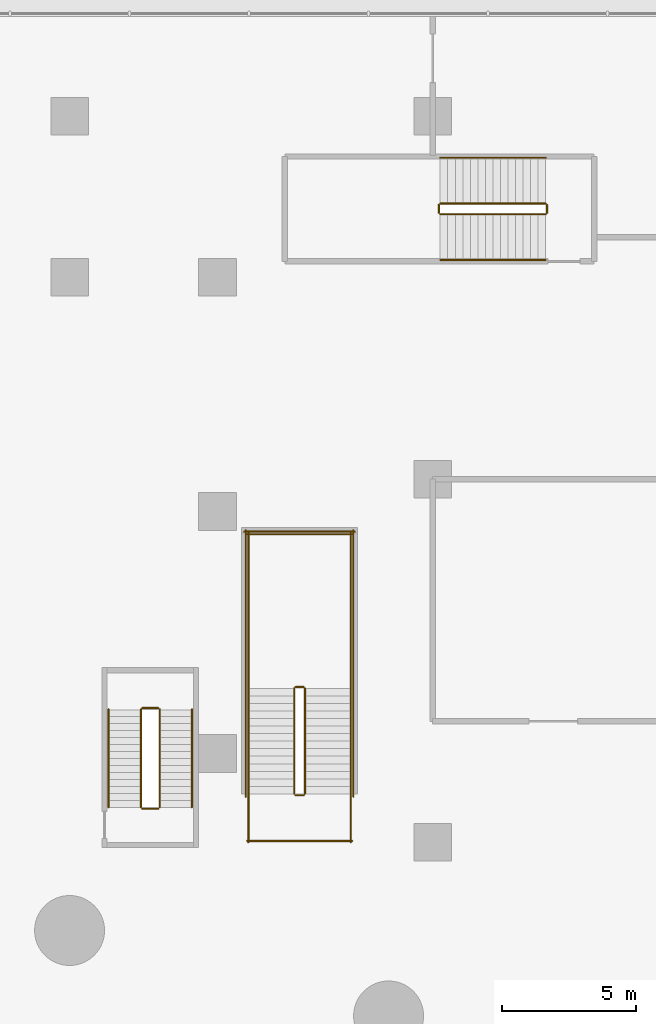
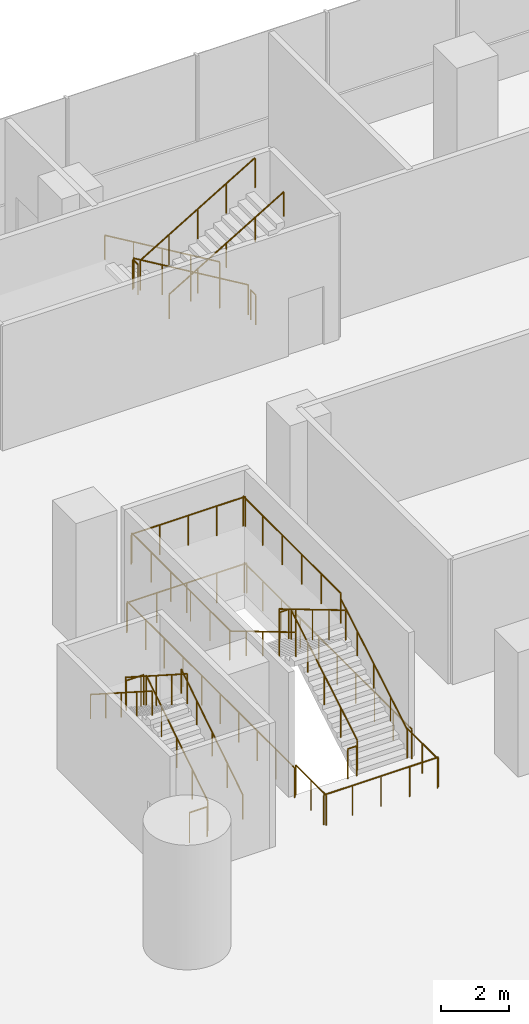
# One storey, part 43 of 44: 27 railings.
"""IFC4 building model written with IfcOpenShell, lengths in metres."""

from ifc_helpers import new_model, si_unit, direction, frame, origin, origin_2d, place, context, subcontext, project, spatial, circle, extrude, material, type_object, element, save


model = new_model("IFC4")

# Units and contexts
model_context = context("Model", 3, precision=1e-05, world=origin(), true_north=direction((0.0, 1.0)))
body_context = subcontext(model_context, "Body", "Model", "MODEL_VIEW")
ifc_project = project(units=[si_unit("LENGTHUNIT", "METRE"), si_unit("AREAUNIT", "SQUARE_METRE"), si_unit("VOLUMEUNIT", "CUBIC_METRE"), si_unit("PLANEANGLEUNIT", "RADIAN"), si_unit("MASSUNIT", "GRAM", prefix="KILO")], contexts=[model_context])

# Site, building, storey
site_placement = place(None, origin())
site = spatial("IfcSite", under=ifc_project, at=site_placement, CompositionType="ELEMENT")
building_placement = place(site_placement, origin())
building = spatial("IfcBuilding", under=site, at=building_placement, Name="Tamarind Cross Interchange Tower", CompositionType="ELEMENT")
storey_placement = place(building_placement, frame((0.0, 0.0, 15.0)))
storey = spatial("IfcBuildingStorey", under=building, at=storey_placement, Name="L02", CompositionType="ELEMENT", Elevation=15.0)

# Railings
ifc_material_1 = material(Name="Public stair guard")
railing_type_1 = type_object("IfcRailingType", Name="Public stair guard", PredefinedType="GUARDRAIL", material=ifc_material_1)
railing_1_placement = place(storey_placement, frame((8.75, 28.800048828125, 0.166748046875)))
element("IfcRailing", 1, at=railing_1_placement, inside=storey, type_object=railing_type_1, Name="L02 PS-N stair guard 1", PredefinedType="GUARDRAIL", context=body_context, shape_type="SweptSolid", body=[
    extrude(circle(Radius=0.02392578125, at=origin_2d()), frame((0.0, 0.0, 1.076171875), z_axis=(0.0, 0.859296244711, 0.511478214419), x_axis=(-1.0, 0.0, 0.0)), (0.0, 0.0, 1.0), 4.561767578125),
    extrude(circle(Radius=0.02099609375, at=origin_2d()), origin(), (0.0, 0.0, 1.0), 1.052001953125),
    extrude(circle(Radius=0.02099609375, at=origin_2d()), frame((0.0, 0.97998046875, 0.583251953125)), (0.0, 0.0, 1.0), 1.052001953125),
    extrude(circle(Radius=0.02099609375, at=origin_2d()), frame((0.0, 1.9599609375, 1.16650390625)), (0.0, 0.0, 1.0), 1.052001953125),
    extrude(circle(Radius=0.02099609375, at=origin_2d()), frame((0.0, 2.93994140625, 1.75)), (0.0, 0.0, 1.0), 1.052001953125),
    extrude(circle(Radius=0.02099609375, at=origin_2d()), frame((0.0, 3.919921875, 2.333251953125)), (0.0, 0.0, 1.0), 1.052001953125),
])
railing_2_placement = place(storey_placement, frame((8.699951171875, 32.77001953125, 2.5)))
element("IfcRailing", 2, at=railing_2_placement, inside=storey, type_object=railing_type_1, Name="L02 PS-N stair guard 2", PredefinedType="GUARDRAIL", context=body_context, shape_type="SweptSolid", body=[
    extrude(circle(Radius=0.02392578125, at=origin_2d()), frame((0.0, 0.0, 1.076171875), z_axis=(-1.0, 0.0, 0.0), x_axis=(0.0, -1.0, 0.0)), (0.0, 0.0, 1.0), 0.300048828125),
    extrude(circle(Radius=0.02099609375, at=origin_2d()), origin(), (0.0, 0.0, 1.0), 1.052001953125),
    extrude(circle(Radius=0.02099609375, at=origin_2d()), frame((-0.300048828125, 0.0, 0.0)), (0.0, 0.0, 1.0), 1.052001953125),
])
for number, where, name in (
    (3, (10.449951171875, 32.719970703125, 2.5), "L02 PS-N stair guard 3"),
    (4, (6.64990234375, 32.719970703125, 2.5), "L02 PS-N stair guard 4"),
):
    element("IfcRailing", number, at=place(storey_placement, frame(where)), inside=storey, type_object=railing_type_1, Name=name, PredefinedType="GUARDRAIL", context=body_context, shape_type="SweptSolid", body=[
        extrude(circle(Radius=0.02392578125, at=origin_2d()), frame((0.0, 0.0, 1.076171875), z_axis=(0.0, 1.0, 0.0), x_axis=(-1.0, 0.0, 0.0)), (0.0, 0.0, 1.0), 5.780029296875),
        extrude(circle(Radius=0.02099609375, at=origin_2d()), origin(), (0.0, 0.0, 1.0), 1.052001953125),
        extrude(circle(Radius=0.02099609375, at=origin_2d()), frame((0.0, 1.156005859375, 0.0)), (0.0, 0.0, 1.0), 1.052001953125),
        extrude(circle(Radius=0.02099609375, at=origin_2d()), frame((0.0, 2.31201171875, 0.0)), (0.0, 0.0, 1.0), 1.052001953125),
        extrude(circle(Radius=0.02099609375, at=origin_2d()), frame((0.0, 3.468017578125, 0.0)), (0.0, 0.0, 1.0), 1.052001953125),
        extrude(circle(Radius=0.02099609375, at=origin_2d()), frame((0.0, 4.6240234375, 0.0)), (0.0, 0.0, 1.0), 1.052001953125),
        extrude(circle(Radius=0.02099609375, at=origin_2d()), frame((0.0, 5.780029296875, 0.0)), (0.0, 0.0, 1.0), 1.052001953125),
    ])
railing_3_placement = place(storey_placement, frame((10.5, 38.449951171875, 2.5)))
element("IfcRailing", 5, at=railing_3_placement, inside=storey, type_object=railing_type_1, Name="L02 PS-N stair guard 5", PredefinedType="GUARDRAIL", context=body_context, shape_type="SweptSolid", body=[
    extrude(circle(Radius=0.02392578125, at=origin_2d()), frame((0.0, 0.0, 1.076171875), z_axis=(-1.0, 0.0, 0.0), x_axis=(0.0, -1.0, 0.0)), (0.0, 0.0, 1.0), 3.89990234375),
    extrude(circle(Radius=0.02099609375, at=origin_2d()), origin(), (0.0, 0.0, 1.0), 1.052001953125),
    extrude(circle(Radius=0.02099609375, at=origin_2d()), frame((-0.97509765625, 0.0, 0.0)), (0.0, 0.0, 1.0), 1.052001953125),
    extrude(circle(Radius=0.02099609375, at=origin_2d()), frame((-1.949951171875, 0.0, 0.0)), (0.0, 0.0, 1.0), 1.052001953125),
    extrude(circle(Radius=0.02099609375, at=origin_2d()), frame((-2.9248046875, 0.0, 0.0)), (0.0, 0.0, 1.0), 1.052001953125),
    extrude(circle(Radius=0.02099609375, at=origin_2d()), frame((-3.89990234375, 0.0, 0.0)), (0.0, 0.0, 1.0), 1.052001953125),
])
railing_4_placement = place(storey_placement, frame((8.35009765625, 32.719970703125, 2.666748046875)))
element("IfcRailing", 6, at=railing_4_placement, inside=storey, type_object=railing_type_1, Name="L02 PS-N stair guard 6", PredefinedType="GUARDRAIL", context=body_context, shape_type="SweptSolid", body=[
    extrude(circle(Radius=0.02392578125, at=origin_2d()), frame((0.0, 0.0, 1.076171875), z_axis=(0.0, -0.859296244711, 0.511478214419), x_axis=(1.0, 0.0, 0.0)), (0.0, 0.0, 1.0), 4.561767578125),
    extrude(circle(Radius=0.02099609375, at=origin_2d()), origin(), (0.0, 0.0, 1.0), 1.052001953125),
    extrude(circle(Radius=0.02099609375, at=origin_2d()), frame((0.0, -0.97998046875, 0.583251953125)), (0.0, 0.0, 1.0), 1.052001953125),
    extrude(circle(Radius=0.02099609375, at=origin_2d()), frame((0.0, -1.9599609375, 1.16650390625)), (0.0, 0.0, 1.0), 1.052001953125),
    extrude(circle(Radius=0.02099609375, at=origin_2d()), frame((0.0, -2.93994140625, 1.75)), (0.0, 0.0, 1.0), 1.052001953125),
    extrude(circle(Radius=0.02099609375, at=origin_2d()), frame((0.0, -3.919921875, 2.333251953125)), (0.0, 0.0, 1.0), 1.052001953125),
])
railing_5_placement = place(storey_placement, frame((8.699951171875, 28.75, 0.0)))
element("IfcRailing", 7, at=railing_5_placement, inside=storey, type_object=railing_type_1, Name="L02 PS-N stair guard 7", PredefinedType="GUARDRAIL", context=body_context, shape_type="SweptSolid", body=[
    extrude(circle(Radius=0.02392578125, at=origin_2d()), frame((0.0, 0.0, 1.076171875), z_axis=(-1.0, 0.0, 0.0), x_axis=(0.0, -1.0, 0.0)), (0.0, 0.0, 1.0), 0.300048828125),
    extrude(circle(Radius=0.02099609375, at=origin_2d()), origin(), (0.0, 0.0, 1.0), 1.052001953125),
    extrude(circle(Radius=0.02099609375, at=origin_2d()), frame((-0.300048828125, 0.0, 0.0)), (0.0, 0.0, 1.0), 1.052001953125),
])
for number, where, name in (
    (8, (10.449951171875, 27.0, 0.0), "L02 PS-N stair guard 8"),
    (9, (6.64990234375, 27.0, 0.0), "L02 PS-N stair guard 9"),
):
    element("IfcRailing", number, at=place(storey_placement, frame(where)), inside=storey, type_object=railing_type_1, Name=name, PredefinedType="GUARDRAIL", context=body_context, shape_type="SweptSolid", body=[
        extrude(circle(Radius=0.02392578125, at=origin_2d()), frame((0.0, 0.0, 1.076171875), z_axis=(0.0, 1.0, 0.0), x_axis=(-1.0, 0.0, 0.0)), (0.0, 0.0, 1.0), 1.800048828125),
        extrude(circle(Radius=0.02099609375, at=origin_2d()), origin(), (0.0, 0.0, 1.0), 1.052001953125),
        extrude(circle(Radius=0.02099609375, at=origin_2d()), frame((0.0, 0.89990234375, 0.0)), (0.0, 0.0, 1.0), 1.052001953125),
        extrude(circle(Radius=0.02099609375, at=origin_2d()), frame((0.0, 1.800048828125, 0.0)), (0.0, 0.0, 1.0), 1.052001953125),
    ])
railing_6_placement = place(storey_placement, frame((10.5, 27.050048828125, 0.0)))
element("IfcRailing", 10, at=railing_6_placement, inside=storey, type_object=railing_type_1, Name="L02 PS-N stair guard 10", PredefinedType="GUARDRAIL", context=body_context, shape_type="SweptSolid", body=[
    extrude(circle(Radius=0.02392578125, at=origin_2d()), frame((0.0, 0.0, 1.076171875), z_axis=(-1.0, 0.0, 0.0), x_axis=(0.0, -1.0, 0.0)), (0.0, 0.0, 1.0), 3.89990234375),
    extrude(circle(Radius=0.02099609375, at=origin_2d()), origin(), (0.0, 0.0, 1.0), 1.052001953125),
    extrude(circle(Radius=0.02099609375, at=origin_2d()), frame((-0.97509765625, 0.0, 0.0)), (0.0, 0.0, 1.0), 1.052001953125),
    extrude(circle(Radius=0.02099609375, at=origin_2d()), frame((-1.949951171875, 0.0, 0.0)), (0.0, 0.0, 1.0), 1.052001953125),
    extrude(circle(Radius=0.02099609375, at=origin_2d()), frame((-2.9248046875, 0.0, 0.0)), (0.0, 0.0, 1.0), 1.052001953125),
    extrude(circle(Radius=0.02099609375, at=origin_2d()), frame((-3.89990234375, 0.0, 0.0)), (0.0, 0.0, 1.0), 1.052001953125),
])
for number, where, name in (
    (11, (10.550048828125, 28.699951171875, 0.0), "L02 PS-N stair guard 11"),
    (12, (6.550048828125, 28.699951171875, 0.0), "L02 PS-N stair guard 12"),
):
    element("IfcRailing", number, at=place(storey_placement, frame(where)), inside=storey, type_object=railing_type_1, Name=name, PredefinedType="GUARDRAIL", context=body_context, shape_type="SweptSolid", body=[
        extrude(circle(Radius=0.02392578125, at=origin_2d()), frame((0.0, 0.0, 1.076171875), z_axis=(0.0, 1.0, 0.0), x_axis=(-1.0, 0.0, 0.0)), (0.0, 0.0, 1.0), 9.900146484375),
        extrude(circle(Radius=0.02099609375, at=origin_2d()), origin(), (0.0, 0.0, 1.0), 1.052001953125),
        extrude(circle(Radius=0.02099609375, at=origin_2d()), frame((0.0, 1.10009765625, 0.0)), (0.0, 0.0, 1.0), 1.052001953125),
        extrude(circle(Radius=0.02099609375, at=origin_2d()), frame((0.0, 2.199951171875, 0.0)), (0.0, 0.0, 1.0), 1.052001953125),
        extrude(circle(Radius=0.02099609375, at=origin_2d()), frame((0.0, 3.300048828125, 0.0)), (0.0, 0.0, 1.0), 1.052001953125),
        extrude(circle(Radius=0.02099609375, at=origin_2d()), frame((0.0, 4.400146484375, 0.0)), (0.0, 0.0, 1.0), 1.052001953125),
        extrude(circle(Radius=0.02099609375, at=origin_2d()), frame((0.0, 5.5, 0.0)), (0.0, 0.0, 1.0), 1.052001953125),
        extrude(circle(Radius=0.02099609375, at=origin_2d()), frame((0.0, 6.60009765625, 0.0)), (0.0, 0.0, 1.0), 1.052001953125),
        extrude(circle(Radius=0.02099609375, at=origin_2d()), frame((0.0, 7.7001953125, 0.0)), (0.0, 0.0, 1.0), 1.052001953125),
        extrude(circle(Radius=0.02099609375, at=origin_2d()), frame((0.0, 8.800048828125, 0.0)), (0.0, 0.0, 1.0), 1.052001953125),
        extrude(circle(Radius=0.02099609375, at=origin_2d()), frame((0.0, 9.900146484375, 0.0)), (0.0, 0.0, 1.0), 1.052001953125),
    ])
railing_7_placement = place(storey_placement, frame((10.60009765625, 38.550048828125, 0.0)))
element("IfcRailing", 13, at=railing_7_placement, inside=storey, type_object=railing_type_1, Name="L02 PS-N stair guard 13", PredefinedType="GUARDRAIL", context=body_context, shape_type="SweptSolid", body=[
    extrude(circle(Radius=0.02392578125, at=origin_2d()), frame((0.0, 0.0, 1.076171875), z_axis=(-1.0, 0.0, 0.0), x_axis=(0.0, -1.0, 0.0)), (0.0, 0.0, 1.0), 4.10009765625),
    extrude(circle(Radius=0.02099609375, at=origin_2d()), origin(), (0.0, 0.0, 1.0), 1.052001953125),
    extrude(circle(Radius=0.02099609375, at=origin_2d()), frame((-1.02490234375, 0.0, 0.0)), (0.0, 0.0, 1.0), 1.052001953125),
    extrude(circle(Radius=0.02099609375, at=origin_2d()), frame((-2.050048828125, 0.0, 0.0)), (0.0, 0.0, 1.0), 1.052001953125),
    extrude(circle(Radius=0.02099609375, at=origin_2d()), frame((-3.0751953125, 0.0, 0.0)), (0.0, 0.0, 1.0), 1.052001953125),
    extrude(circle(Radius=0.02099609375, at=origin_2d()), frame((-4.10009765625, 0.0, 0.0)), (0.0, 0.0, 1.0), 1.052001953125),
])
railing_8_placement = place(storey_placement, frame((17.699951171875, 50.75, 0.166748046875)))
element("IfcRailing", 14, at=railing_8_placement, inside=storey, type_object=railing_type_1, Name="L02 XS-P03 stair guard 1", PredefinedType="GUARDRAIL", context=body_context, shape_type="SweptSolid", body=[
    extrude(circle(Radius=0.02392578125, at=origin_2d()), frame((0.0, 0.0, 1.076171875), z_axis=(-0.859296244711, 0.0, 0.511478214419), x_axis=(0.0, -1.0, 0.0)), (0.0, 0.0, 1.0), 4.561767578125),
    extrude(circle(Radius=0.02099609375, at=origin_2d()), origin(), (0.0, 0.0, 1.0), 1.052001953125),
    extrude(circle(Radius=0.02099609375, at=origin_2d()), frame((-0.97998046875, 0.0, 0.583251953125)), (0.0, 0.0, 1.0), 1.052001953125),
    extrude(circle(Radius=0.02099609375, at=origin_2d()), frame((-1.9599609375, 0.0, 1.16650390625)), (0.0, 0.0, 1.0), 1.052001953125),
    extrude(circle(Radius=0.02099609375, at=origin_2d()), frame((-2.93994140625, 0.0, 1.75)), (0.0, 0.0, 1.0), 1.052001953125),
    extrude(circle(Radius=0.02099609375, at=origin_2d()), frame((-3.919921875, 0.0, 2.333251953125)), (0.0, 0.0, 1.0), 1.052001953125),
])
railing_9_placement = place(storey_placement, frame((13.72998046875, 50.699951171875, 2.5)))
element("IfcRailing", 15, at=railing_9_placement, inside=storey, type_object=railing_type_1, Name="L02 XS-P03 stair guard 2", PredefinedType="GUARDRAIL", context=body_context, shape_type="SweptSolid", body=[
    extrude(circle(Radius=0.02392578125, at=origin_2d()), frame((0.0, 0.0, 1.076171875), z_axis=(0.0, -1.0, 0.0), x_axis=(1.0, 0.0, 0.0)), (0.0, 0.0, 1.0), 0.300048828125),
    extrude(circle(Radius=0.02099609375, at=origin_2d()), origin(), (0.0, 0.0, 1.0), 1.052001953125),
    extrude(circle(Radius=0.02099609375, at=origin_2d()), frame((0.0, -0.300048828125, 0.0)), (0.0, 0.0, 1.0), 1.052001953125),
])
railing_10_placement = place(storey_placement, frame((13.780029296875, 50.35009765625, 2.666748046875)))
element("IfcRailing", 16, at=railing_10_placement, inside=storey, type_object=railing_type_1, Name="L02 XS-P03 stair guard 3", PredefinedType="GUARDRAIL", context=body_context, shape_type="SweptSolid", body=[
    extrude(circle(Radius=0.02392578125, at=origin_2d()), frame((0.0, 0.0, 1.076171875), z_axis=(0.859296244711, 0.0, 0.511478214419), x_axis=(0.0, 1.0, 0.0)), (0.0, 0.0, 1.0), 4.561767578125),
    extrude(circle(Radius=0.02099609375, at=origin_2d()), origin(), (0.0, 0.0, 1.0), 1.052001953125),
    extrude(circle(Radius=0.02099609375, at=origin_2d()), frame((0.97998046875, 0.0, 0.583251953125)), (0.0, 0.0, 1.0), 1.052001953125),
    extrude(circle(Radius=0.02099609375, at=origin_2d()), frame((1.9599609375, 0.0, 1.16650390625)), (0.0, 0.0, 1.0), 1.052001953125),
    extrude(circle(Radius=0.02099609375, at=origin_2d()), frame((2.93994140625, 0.0, 1.75)), (0.0, 0.0, 1.0), 1.052001953125),
    extrude(circle(Radius=0.02099609375, at=origin_2d()), frame((3.919921875, 0.0, 2.333251953125)), (0.0, 0.0, 1.0), 1.052001953125),
])
railing_11_placement = place(storey_placement, frame((17.75, 50.699951171875, 0.0)))
element("IfcRailing", 17, at=railing_11_placement, inside=storey, type_object=railing_type_1, Name="L02 XS-P03 stair guard 4", PredefinedType="GUARDRAIL", context=body_context, shape_type="SweptSolid", body=[
    extrude(circle(Radius=0.02392578125, at=origin_2d()), frame((0.0, 0.0, 1.076171875), z_axis=(0.0, -1.0, 0.0), x_axis=(1.0, 0.0, 0.0)), (0.0, 0.0, 1.0), 0.300048828125),
    extrude(circle(Radius=0.02099609375, at=origin_2d()), origin(), (0.0, 0.0, 1.0), 1.052001953125),
    extrude(circle(Radius=0.02099609375, at=origin_2d()), frame((0.0, -0.300048828125, 0.0)), (0.0, 0.0, 1.0), 1.052001953125),
])
ifc_material_2 = material(Name="Public stair handrail")
railing_type_2 = type_object("IfcRailingType", Name="Public stair handrail", PredefinedType="HANDRAIL", material=ifc_material_2)
railing_12_placement = place(storey_placement, frame((10.449951171875, 28.800048828125, 0.166748046875)))
element("IfcRailing", 18, at=railing_12_placement, inside=storey, type_object=railing_type_2, Name="L02 PS-N stair handrail 1", PredefinedType="HANDRAIL", context=body_context, shape_type="SweptSolid", body=[
    extrude(circle(Radius=0.02392578125, at=origin_2d()), frame((0.0, 0.0, 0.8759765625), z_axis=(0.0, 0.859296244711, 0.511478214419), x_axis=(-1.0, 0.0, 0.0)), (0.0, 0.0, 1.0), 4.561767578125),
    extrude(circle(Radius=0.02099609375, at=origin_2d()), origin(), (0.0, 0.0, 1.0), 0.851806640625),
    extrude(circle(Radius=0.02099609375, at=origin_2d()), frame((0.0, 0.97998046875, 0.583251953125)), (0.0, 0.0, 1.0), 0.851806640625),
    extrude(circle(Radius=0.02099609375, at=origin_2d()), frame((0.0, 1.9599609375, 1.16650390625)), (0.0, 0.0, 1.0), 0.851806640625),
    extrude(circle(Radius=0.02099609375, at=origin_2d()), frame((0.0, 2.93994140625, 1.75)), (0.0, 0.0, 1.0), 0.851806640625),
    extrude(circle(Radius=0.02099609375, at=origin_2d()), frame((0.0, 3.919921875, 2.333251953125)), (0.0, 0.0, 1.0), 0.851806640625),
])
railing_13_placement = place(storey_placement, frame((6.64990234375, 32.719970703125, 2.666748046875)))
element("IfcRailing", 19, at=railing_13_placement, inside=storey, type_object=railing_type_2, Name="L02 PS-N stair handrail 2", PredefinedType="HANDRAIL", context=body_context, shape_type="SweptSolid", body=[
    extrude(circle(Radius=0.02392578125, at=origin_2d()), frame((0.0, 0.0, 0.8759765625), z_axis=(0.0, -0.859296244711, 0.511478214419), x_axis=(1.0, 0.0, 0.0)), (0.0, 0.0, 1.0), 4.561767578125),
    extrude(circle(Radius=0.02099609375, at=origin_2d()), origin(), (0.0, 0.0, 1.0), 0.851806640625),
    extrude(circle(Radius=0.02099609375, at=origin_2d()), frame((0.0, -0.97998046875, 0.583251953125)), (0.0, 0.0, 1.0), 0.851806640625),
    extrude(circle(Radius=0.02099609375, at=origin_2d()), frame((0.0, -1.9599609375, 1.16650390625)), (0.0, 0.0, 1.0), 0.851806640625),
    extrude(circle(Radius=0.02099609375, at=origin_2d()), frame((0.0, -2.93994140625, 1.75)), (0.0, 0.0, 1.0), 0.851806640625),
    extrude(circle(Radius=0.02099609375, at=origin_2d()), frame((0.0, -3.919921875, 2.333251953125)), (0.0, 0.0, 1.0), 0.851806640625),
])
railing_14_placement = place(storey_placement, frame((17.699951171875, 52.449951171875, 0.166748046875)))
element("IfcRailing", 20, at=railing_14_placement, inside=storey, type_object=railing_type_2, Name="L02 XS-P03 stair handrail 1", PredefinedType="HANDRAIL", context=body_context, shape_type="SweptSolid", body=[
    extrude(circle(Radius=0.02392578125, at=origin_2d()), frame((0.0, 0.0, 0.8759765625), z_axis=(-0.859296244711, 0.0, 0.511478214419), x_axis=(0.0, -1.0, 0.0)), (0.0, 0.0, 1.0), 4.561767578125),
    extrude(circle(Radius=0.02099609375, at=origin_2d()), origin(), (0.0, 0.0, 1.0), 0.851806640625),
    extrude(circle(Radius=0.02099609375, at=origin_2d()), frame((-0.97998046875, 0.0, 0.583251953125)), (0.0, 0.0, 1.0), 0.851806640625),
    extrude(circle(Radius=0.02099609375, at=origin_2d()), frame((-1.9599609375, 0.0, 1.16650390625)), (0.0, 0.0, 1.0), 0.851806640625),
    extrude(circle(Radius=0.02099609375, at=origin_2d()), frame((-2.93994140625, 0.0, 1.75)), (0.0, 0.0, 1.0), 0.851806640625),
    extrude(circle(Radius=0.02099609375, at=origin_2d()), frame((-3.919921875, 0.0, 2.333251953125)), (0.0, 0.0, 1.0), 0.851806640625),
])
railing_15_placement = place(storey_placement, frame((13.780029296875, 48.64990234375, 2.666748046875)))
element("IfcRailing", 21, at=railing_15_placement, inside=storey, type_object=railing_type_2, Name="L02 XS-P03 stair handrail 2", PredefinedType="HANDRAIL", context=body_context, shape_type="SweptSolid", body=[
    extrude(circle(Radius=0.02392578125, at=origin_2d()), frame((0.0, 0.0, 0.8759765625), z_axis=(0.859296244711, 0.0, 0.511478214419), x_axis=(0.0, 1.0, 0.0)), (0.0, 0.0, 1.0), 4.561767578125),
    extrude(circle(Radius=0.02099609375, at=origin_2d()), origin(), (0.0, 0.0, 1.0), 0.851806640625),
    extrude(circle(Radius=0.02099609375, at=origin_2d()), frame((0.97998046875, 0.0, 0.583251953125)), (0.0, 0.0, 1.0), 0.851806640625),
    extrude(circle(Radius=0.02099609375, at=origin_2d()), frame((1.9599609375, 0.0, 1.16650390625)), (0.0, 0.0, 1.0), 0.851806640625),
    extrude(circle(Radius=0.02099609375, at=origin_2d()), frame((2.93994140625, 0.0, 1.75)), (0.0, 0.0, 1.0), 0.851806640625),
    extrude(circle(Radius=0.02099609375, at=origin_2d()), frame((3.919921875, 0.0, 2.333251953125)), (0.0, 0.0, 1.0), 0.851806640625),
])
ifc_material_3 = material(Name="Stair guard")
railing_type_3 = type_object("IfcRailingType", Name="Stair guard", PredefinedType="GUARDRAIL", material=ifc_material_3)
railing_16_placement = place(storey_placement, frame((3.35009765625, 28.300048828125, 0.166748046875)))
element("IfcRailing", 22, at=railing_16_placement, inside=storey, type_object=railing_type_3, Name="L02 ST4 stair guard 1", PredefinedType="GUARDRAIL", context=body_context, shape_type="SweptSolid", body=[
    extrude(circle(Radius=0.02392578125, at=origin_2d()), frame((0.0, 0.0, 1.076171875), z_axis=(0.0, 0.841880454617, 0.539664062296), x_axis=(-1.0, 0.0, 0.0)), (0.0, 0.0, 1.0), 4.323486328125),
    extrude(circle(Radius=0.02099609375, at=origin_2d()), origin(), (0.0, 0.0, 1.0), 1.052001953125),
    extrude(circle(Radius=0.02099609375, at=origin_2d()), frame((0.0, 0.909912109375, 0.583251953125)), (0.0, 0.0, 1.0), 1.052001953125),
    extrude(circle(Radius=0.02099609375, at=origin_2d()), frame((0.0, 1.81982421875, 1.16650390625)), (0.0, 0.0, 1.0), 1.052001953125),
    extrude(circle(Radius=0.02099609375, at=origin_2d()), frame((0.0, 2.72998046875, 1.75)), (0.0, 0.0, 1.0), 1.052001953125),
    extrude(circle(Radius=0.02099609375, at=origin_2d()), frame((0.0, 3.639892578125, 2.333251953125)), (0.0, 0.0, 1.0), 1.052001953125),
])
railing_17_placement = place(storey_placement, frame((3.300048828125, 31.989990234375, 2.5)))
element("IfcRailing", 23, at=railing_17_placement, inside=storey, type_object=railing_type_3, Name="L02 ST4 stair guard 2", PredefinedType="GUARDRAIL", context=body_context, shape_type="SweptSolid", body=[
    extrude(circle(Radius=0.02392578125, at=origin_2d()), frame((0.0, 0.0, 1.076171875), z_axis=(-1.0, 0.0, 0.0), x_axis=(0.0, -1.0, 0.0)), (0.0, 0.0, 1.0), 0.60009765625),
    extrude(circle(Radius=0.02099609375, at=origin_2d()), origin(), (0.0, 0.0, 1.0), 1.052001953125),
    extrude(circle(Radius=0.02099609375, at=origin_2d()), frame((-0.60009765625, 0.0, 0.0)), (0.0, 0.0, 1.0), 1.052001953125),
])
railing_18_placement = place(storey_placement, frame((2.64990234375, 31.93994140625, 2.666748046875)))
element("IfcRailing", 24, at=railing_18_placement, inside=storey, type_object=railing_type_3, Name="L02 ST4 stair guard 3", PredefinedType="GUARDRAIL", context=body_context, shape_type="SweptSolid", body=[
    extrude(circle(Radius=0.02392578125, at=origin_2d()), frame((0.0, 0.0, 1.076171875), z_axis=(0.0, -0.841880454617, 0.539664062296), x_axis=(1.0, 0.0, 0.0)), (0.0, 0.0, 1.0), 4.323486328125),
    extrude(circle(Radius=0.02099609375, at=origin_2d()), origin(), (0.0, 0.0, 1.0), 1.052001953125),
    extrude(circle(Radius=0.02099609375, at=origin_2d()), frame((0.0, -0.909912109375, 0.583251953125)), (0.0, 0.0, 1.0), 1.052001953125),
    extrude(circle(Radius=0.02099609375, at=origin_2d()), frame((0.0, -1.81982421875, 1.16650390625)), (0.0, 0.0, 1.0), 1.052001953125),
    extrude(circle(Radius=0.02099609375, at=origin_2d()), frame((0.0, -2.72998046875, 1.75)), (0.0, 0.0, 1.0), 1.052001953125),
    extrude(circle(Radius=0.02099609375, at=origin_2d()), frame((0.0, -3.639892578125, 2.333251953125)), (0.0, 0.0, 1.0), 1.052001953125),
])
railing_19_placement = place(storey_placement, frame((3.300048828125, 28.25, 0.0)))
element("IfcRailing", 25, at=railing_19_placement, inside=storey, type_object=railing_type_3, Name="L02 ST4 stair guard 4", PredefinedType="GUARDRAIL", context=body_context, shape_type="SweptSolid", body=[
    extrude(circle(Radius=0.02392578125, at=origin_2d()), frame((0.0, 0.0, 1.076171875), z_axis=(-1.0, 0.0, 0.0), x_axis=(0.0, -1.0, 0.0)), (0.0, 0.0, 1.0), 0.60009765625),
    extrude(circle(Radius=0.02099609375, at=origin_2d()), origin(), (0.0, 0.0, 1.0), 1.052001953125),
    extrude(circle(Radius=0.02099609375, at=origin_2d()), frame((-0.60009765625, 0.0, 0.0)), (0.0, 0.0, 1.0), 1.052001953125),
])
ifc_material_4 = material(Name="Stair handrail")
railing_type_4 = type_object("IfcRailingType", Name="Stair handrail", PredefinedType="HANDRAIL", material=ifc_material_4)
railing_20_placement = place(storey_placement, frame((4.550048828125, 28.300048828125, 0.166748046875)))
element("IfcRailing", 26, at=railing_20_placement, inside=storey, type_object=railing_type_4, Name="L02 ST4 stair handrail 1", PredefinedType="HANDRAIL", context=body_context, shape_type="SweptSolid", body=[
    extrude(circle(Radius=0.02392578125, at=origin_2d()), frame((0.0, 0.0, 0.8759765625), z_axis=(0.0, 0.841880454617, 0.539664062296), x_axis=(-1.0, 0.0, 0.0)), (0.0, 0.0, 1.0), 4.323486328125),
    extrude(circle(Radius=0.02099609375, at=origin_2d()), origin(), (0.0, 0.0, 1.0), 0.851806640625),
    extrude(circle(Radius=0.02099609375, at=origin_2d()), frame((0.0, 0.909912109375, 0.583251953125)), (0.0, 0.0, 1.0), 0.851806640625),
    extrude(circle(Radius=0.02099609375, at=origin_2d()), frame((0.0, 1.81982421875, 1.16650390625)), (0.0, 0.0, 1.0), 0.851806640625),
    extrude(circle(Radius=0.02099609375, at=origin_2d()), frame((0.0, 2.72998046875, 1.75)), (0.0, 0.0, 1.0), 0.851806640625),
    extrude(circle(Radius=0.02099609375, at=origin_2d()), frame((0.0, 3.639892578125, 2.333251953125)), (0.0, 0.0, 1.0), 0.851806640625),
])
railing_21_placement = place(storey_placement, frame((1.449951171875, 31.93994140625, 2.666748046875)))
element("IfcRailing", 27, at=railing_21_placement, inside=storey, type_object=railing_type_4, Name="L02 ST4 stair handrail 2", PredefinedType="HANDRAIL", context=body_context, shape_type="SweptSolid", body=[
    extrude(circle(Radius=0.02392578125, at=origin_2d()), frame((0.0, 0.0, 0.8759765625), z_axis=(0.0, -0.841880454617, 0.539664062296), x_axis=(1.0, 0.0, 0.0)), (0.0, 0.0, 1.0), 4.323486328125),
    extrude(circle(Radius=0.02099609375, at=origin_2d()), origin(), (0.0, 0.0, 1.0), 0.851806640625),
    extrude(circle(Radius=0.02099609375, at=origin_2d()), frame((0.0, -0.909912109375, 0.583251953125)), (0.0, 0.0, 1.0), 0.851806640625),
    extrude(circle(Radius=0.02099609375, at=origin_2d()), frame((0.0, -1.81982421875, 1.16650390625)), (0.0, 0.0, 1.0), 0.851806640625),
    extrude(circle(Radius=0.02099609375, at=origin_2d()), frame((0.0, -2.72998046875, 1.75)), (0.0, 0.0, 1.0), 0.851806640625),
    extrude(circle(Radius=0.02099609375, at=origin_2d()), frame((0.0, -3.639892578125, 2.333251953125)), (0.0, 0.0, 1.0), 0.851806640625),
])

save(model, "model.ifc")
